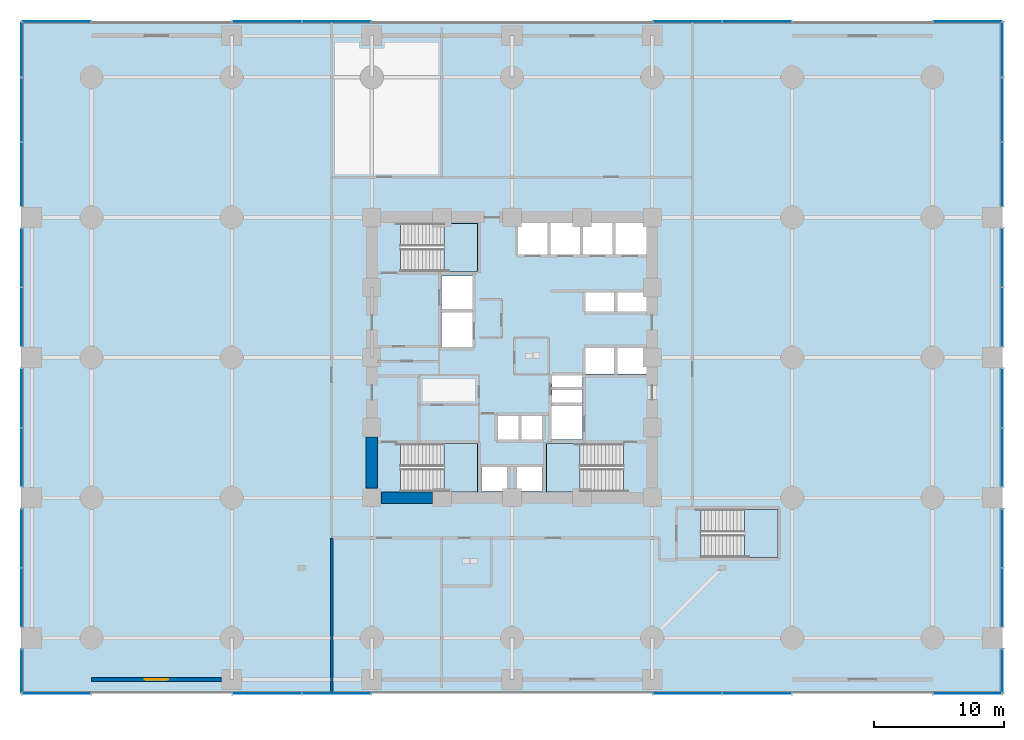
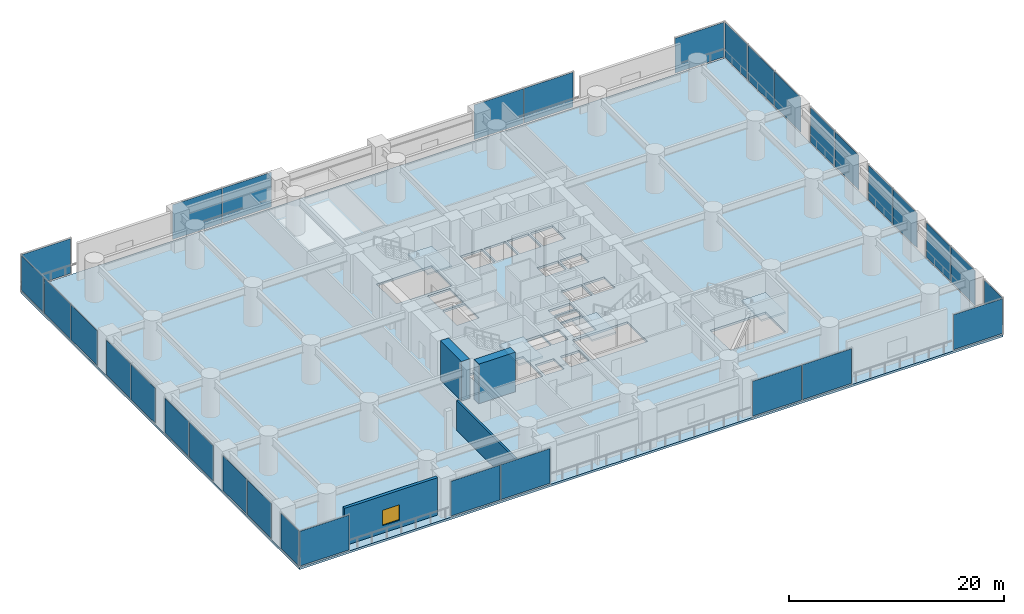
# One storey, part 26 of 36: 32 plates, 5 slabs, 4 walls, 1 window, 1 opening, 24 elements without a shape of their own.
"""IFC4 building model written with IfcOpenShell, lengths in metres."""

from ifc_helpers import new_model, si_unit, direction, frame, frame_2d, origin, place, context, subcontext, project, spatial, polyline, rectangle, outline, extrude, material, layer, layer_set, type_object, element, fill, aggregate, save


model = new_model("IFC4")

# Units and contexts
model_context = context("Model", 3, precision=1e-05, world=origin(), true_north=direction((0.0, 1.0)))
body_context = subcontext(model_context, "Body", "Model", "MODEL_VIEW")
ifc_project = project(units=[si_unit("LENGTHUNIT", "METRE"), si_unit("AREAUNIT", "SQUARE_METRE"), si_unit("VOLUMEUNIT", "CUBIC_METRE"), si_unit("PLANEANGLEUNIT", "RADIAN"), si_unit("MASSUNIT", "GRAM", prefix="KILO")], contexts=[model_context])

# Site, building, storey
site_placement = place(None, origin())
site = spatial("IfcSite", under=ifc_project, at=site_placement, CompositionType="ELEMENT")
building_placement = place(site_placement, origin())
building = spatial("IfcBuilding", under=site, at=building_placement, Name="Surkhivell Harbour Commons", CompositionType="ELEMENT")
storey_placement = place(building_placement, frame((0.0, 0.0, 9.0)))
storey = spatial("IfcBuildingStorey", under=building, at=storey_placement, Name="L02", CompositionType="ELEMENT", Elevation=9.0)

# Curtain wall, plate
ifc_material_1 = material(Name="Anodised pale-metal aluminium and insulated glazing", Category="aluminium")
ifc_layer_1 = layer(ifc_material_1, 0.239990234375)
ifc_layer_set_1 = layer_set([ifc_layer_1], Name="Anodised pale-metal aluminium and insulated glazing")
curtain_wall_type = type_object("IfcCurtainWallType", Name="CW-SYS-POD", PredefinedType="NOTDEFINED", material=ifc_layer_set_1)
curtain_wall_1_placement = place(storey_placement, origin())
curtain_wall_1 = element("IfcCurtainWall", 1, at=curtain_wall_1_placement, inside=storey, type_object=curtain_wall_type, Name="L02 Curtain Wall CW-L02-N1", PredefinedType="NOTDEFINED")
ifc_material_2 = material(Name="Double-silver low-E laminated vision glass", Category="glass")
ifc_layer_2 = layer(ifc_material_2, 0.031982421875)
ifc_layer_set_2 = layer_set([ifc_layer_2], Name="Double-silver low-E laminated vision glass")
plate_type = type_object("IfcPlateType", Name="CWP-GLZ-32", PredefinedType="CURTAIN_PANEL", material=ifc_layer_set_2)
plate_1_placement = place(storey_placement, frame((-37.72509765625, 25.89990234375, 0.14990234375), z_axis=(0.0, 0.0, 1.0), x_axis=(1.0, 0.0, 0.0)))
plate_1 = element("IfcPlate", 2, at=plate_1_placement, type_object=plate_type, Name="CW-POD panel 1.1", PredefinedType="CURTAIN_PANEL", context=body_context, shape_type="SweptSolid", body=[
    extrude(rectangle(XDim=5.25, YDim=0.031982421875, at=frame_2d((2.625, 0.0))), origin(), (0.0, 0.0, 1.0), 3.9501953125),
])
aggregate(curtain_wall_1, [plate_1])

curtain_wall_2_placement = place(storey_placement, origin())
curtain_wall_2 = element("IfcCurtainWall", 3, at=curtain_wall_2_placement, inside=storey, type_object=curtain_wall_type, Name="L02 Curtain Wall CW-L02-S1", PredefinedType="NOTDEFINED")
plate_2_placement = place(storey_placement, frame((-32.47509765625, -25.89990234375, 0.14990234375), z_axis=(0.0, 0.0, 1.0), x_axis=(-1.0, 0.0, 0.0)))
plate_2 = element("IfcPlate", 4, at=plate_2_placement, type_object=plate_type, Name="CW-POD panel 1.1", PredefinedType="CURTAIN_PANEL", context=body_context, shape_type="SweptSolid", body=[
    extrude(rectangle(XDim=5.25, YDim=0.031982421875, at=frame_2d((2.625, 0.0))), origin(), (0.0, 0.0, 1.0), 3.9501953125),
])
aggregate(curtain_wall_2, [plate_2])

# Curtain wall, plates
curtain_wall_3_placement = place(storey_placement, origin())
curtain_wall_3 = element("IfcCurtainWall", 5, at=curtain_wall_3_placement, inside=storey, type_object=curtain_wall_type, Name="L02 Curtain Wall CW-L02-N3", PredefinedType="NOTDEFINED")
plate_3_placement = place(storey_placement, frame((-21.52490234375, 25.89990234375, 0.14990234375), z_axis=(0.0, 0.0, 1.0), x_axis=(1.0, 0.0, 0.0)))
plate_3 = element("IfcPlate", 6, at=plate_3_placement, type_object=plate_type, Name="CW-POD panel 1.1", PredefinedType="CURTAIN_PANEL", context=body_context, shape_type="SweptSolid", body=[
    extrude(rectangle(XDim=5.287353515625, YDim=0.031982421875, at=frame_2d((2.6435546875, 0.0))), origin(), (0.0, 0.0, 1.0), 3.9501953125),
])
plate_4_placement = place(storey_placement, frame((-16.16259765625, 25.89990234375, 0.14990234375), z_axis=(0.0, 0.0, 1.0), x_axis=(1.0, 0.0, 0.0)))
plate_4 = element("IfcPlate", 7, at=plate_4_placement, type_object=plate_type, Name="CW-POD panel 2.1", PredefinedType="CURTAIN_PANEL", context=body_context, shape_type="SweptSolid", body=[
    extrude(rectangle(XDim=5.28759765625, YDim=0.031982421875, at=frame_2d((2.643798828125, 0.0))), origin(), (0.0, 0.0, 1.0), 3.9501953125),
])
aggregate(curtain_wall_3, [plate_3, plate_4])

curtain_wall_4_placement = place(storey_placement, origin())
curtain_wall_4 = element("IfcCurtainWall", 8, at=curtain_wall_4_placement, inside=storey, type_object=curtain_wall_type, Name="L02 Curtain Wall CW-L02-S3", PredefinedType="NOTDEFINED")
plate_5_placement = place(storey_placement, frame((-10.875, -25.89990234375, 0.14990234375), z_axis=(0.0, 0.0, 1.0), x_axis=(-1.0, 0.0, 0.0)))
plate_5 = element("IfcPlate", 9, at=plate_5_placement, type_object=plate_type, Name="CW-POD panel 1.1", PredefinedType="CURTAIN_PANEL", context=body_context, shape_type="SweptSolid", body=[
    extrude(rectangle(XDim=5.28759765625, YDim=0.031982421875, at=frame_2d((2.643798828125, 0.0))), origin(), (0.0, 0.0, 1.0), 3.9501953125),
])
plate_6_placement = place(storey_placement, frame((-16.237548828125, -25.89990234375, 0.14990234375), z_axis=(0.0, 0.0, 1.0), x_axis=(-1.0, 0.0, 0.0)))
plate_6 = element("IfcPlate", 10, at=plate_6_placement, type_object=plate_type, Name="CW-POD panel 2.1", PredefinedType="CURTAIN_PANEL", context=body_context, shape_type="SweptSolid", body=[
    extrude(rectangle(XDim=5.287353515625, YDim=0.031982421875, at=frame_2d((2.6435546875, 0.0))), origin(), (0.0, 0.0, 1.0), 3.9501953125),
])
aggregate(curtain_wall_4, [plate_5, plate_6])

curtain_wall_5_placement = place(storey_placement, origin())
curtain_wall_5 = element("IfcCurtainWall", 11, at=curtain_wall_5_placement, inside=storey, type_object=curtain_wall_type, Name="L02 Curtain Wall CW-L02-N6", PredefinedType="NOTDEFINED")
plate_7_placement = place(storey_placement, frame((10.875, 25.89990234375, 0.14990234375), z_axis=(0.0, 0.0, 1.0), x_axis=(1.0, 0.0, 0.0)))
plate_7 = element("IfcPlate", 12, at=plate_7_placement, type_object=plate_type, Name="CW-POD panel 1.1", PredefinedType="CURTAIN_PANEL", context=body_context, shape_type="SweptSolid", body=[
    extrude(rectangle(XDim=5.28759765625, YDim=0.031982421875, at=frame_2d((2.643798828125, 0.0))), origin(), (0.0, 0.0, 1.0), 3.9501953125),
])
plate_8_placement = place(storey_placement, frame((16.237548828125, 25.89990234375, 0.14990234375), z_axis=(0.0, 0.0, 1.0), x_axis=(1.0, 0.0, 0.0)))
plate_8 = element("IfcPlate", 13, at=plate_8_placement, type_object=plate_type, Name="CW-POD panel 2.1", PredefinedType="CURTAIN_PANEL", context=body_context, shape_type="SweptSolid", body=[
    extrude(rectangle(XDim=5.287353515625, YDim=0.031982421875, at=frame_2d((2.6435546875, 0.0))), origin(), (0.0, 0.0, 1.0), 3.9501953125),
])
aggregate(curtain_wall_5, [plate_7, plate_8])

curtain_wall_6_placement = place(storey_placement, origin())
curtain_wall_6 = element("IfcCurtainWall", 14, at=curtain_wall_6_placement, inside=storey, type_object=curtain_wall_type, Name="L02 Curtain Wall CW-L02-S6", PredefinedType="NOTDEFINED")
plate_9_placement = place(storey_placement, frame((21.52490234375, -25.89990234375, 0.14990234375), z_axis=(0.0, 0.0, 1.0), x_axis=(-1.0, 0.0, 0.0)))
plate_9 = element("IfcPlate", 15, at=plate_9_placement, type_object=plate_type, Name="CW-POD panel 1.1", PredefinedType="CURTAIN_PANEL", context=body_context, shape_type="SweptSolid", body=[
    extrude(rectangle(XDim=5.287353515625, YDim=0.031982421875, at=frame_2d((2.6435546875, 0.0))), origin(), (0.0, 0.0, 1.0), 3.9501953125),
])
plate_10_placement = place(storey_placement, frame((16.16259765625, -25.89990234375, 0.14990234375), z_axis=(0.0, 0.0, 1.0), x_axis=(-1.0, 0.0, 0.0)))
plate_10 = element("IfcPlate", 16, at=plate_10_placement, type_object=plate_type, Name="CW-POD panel 2.1", PredefinedType="CURTAIN_PANEL", context=body_context, shape_type="SweptSolid", body=[
    extrude(rectangle(XDim=5.28759765625, YDim=0.031982421875, at=frame_2d((2.643798828125, 0.0))), origin(), (0.0, 0.0, 1.0), 3.9501953125),
])
aggregate(curtain_wall_6, [plate_9, plate_10])

# Curtain wall, plate
curtain_wall_7_placement = place(storey_placement, origin())
curtain_wall_7 = element("IfcCurtainWall", 17, at=curtain_wall_7_placement, inside=storey, type_object=curtain_wall_type, Name="L02 Curtain Wall CW-L02-N8", PredefinedType="NOTDEFINED")
plate_11_placement = place(storey_placement, frame((32.47509765625, 25.89990234375, 0.14990234375), z_axis=(0.0, 0.0, 1.0), x_axis=(1.0, 0.0, 0.0)))
plate_11 = element("IfcPlate", 18, at=plate_11_placement, type_object=plate_type, Name="CW-POD panel 1.1", PredefinedType="CURTAIN_PANEL", context=body_context, shape_type="SweptSolid", body=[
    extrude(rectangle(XDim=5.25, YDim=0.031982421875, at=frame_2d((2.625, 0.0))), origin(), (0.0, 0.0, 1.0), 3.9501953125),
])
aggregate(curtain_wall_7, [plate_11])

curtain_wall_8_placement = place(storey_placement, origin())
curtain_wall_8 = element("IfcCurtainWall", 19, at=curtain_wall_8_placement, inside=storey, type_object=curtain_wall_type, Name="L02 Curtain Wall CW-L02-S8", PredefinedType="NOTDEFINED")
plate_12_placement = place(storey_placement, frame((37.72509765625, -25.89990234375, 0.14990234375), z_axis=(0.0, 0.0, 1.0), x_axis=(-1.0, 0.0, 0.0)))
plate_12 = element("IfcPlate", 20, at=plate_12_placement, type_object=plate_type, Name="CW-POD panel 1.1", PredefinedType="CURTAIN_PANEL", context=body_context, shape_type="SweptSolid", body=[
    extrude(rectangle(XDim=5.25, YDim=0.031982421875, at=frame_2d((2.625, 0.0))), origin(), (0.0, 0.0, 1.0), 3.9501953125),
])
aggregate(curtain_wall_8, [plate_12])

curtain_wall_9_placement = place(storey_placement, origin())
curtain_wall_9 = element("IfcCurtainWall", 21, at=curtain_wall_9_placement, inside=storey, type_object=curtain_wall_type, Name="L02 Curtain Wall CW-L02-W1", PredefinedType="NOTDEFINED")
plate_13_placement = place(storey_placement, frame((-37.800048828125, -25.824951171875, 0.14990234375), z_axis=(0.0, 0.0, 1.0), x_axis=(0.0, 1.0, 0.0)))
plate_13 = element("IfcPlate", 22, at=plate_13_placement, type_object=plate_type, Name="CW-POD panel 1.1", PredefinedType="CURTAIN_PANEL", context=body_context, shape_type="SweptSolid", body=[
    extrude(rectangle(XDim=3.347900390625, YDim=0.031982421875, at=frame_2d((1.673828125, 0.0))), origin(), (0.0, 0.0, 1.0), 3.9501953125),
])
aggregate(curtain_wall_9, [plate_13])

curtain_wall_10_placement = place(storey_placement, origin())
curtain_wall_10 = element("IfcCurtainWall", 23, at=curtain_wall_10_placement, inside=storey, type_object=curtain_wall_type, Name="L02 Curtain Wall CW-L02-E1", PredefinedType="NOTDEFINED")
plate_14_placement = place(storey_placement, frame((37.800048828125, -22.47705078125, 0.14990234375), z_axis=(0.0, 0.0, 1.0), x_axis=(0.0, -1.0, 0.0)))
plate_14 = element("IfcPlate", 24, at=plate_14_placement, type_object=plate_type, Name="CW-POD panel 1.1", PredefinedType="CURTAIN_PANEL", context=body_context, shape_type="SweptSolid", body=[
    extrude(rectangle(XDim=3.347900390625, YDim=0.031982421875, at=frame_2d((1.673828125, 0.0))), origin(), (0.0, 0.0, 1.0), 3.9501953125),
])
aggregate(curtain_wall_10, [plate_14])

# Curtain wall, plates
curtain_wall_11_placement = place(storey_placement, origin())
curtain_wall_11 = element("IfcCurtainWall", 25, at=curtain_wall_11_placement, inside=storey, type_object=curtain_wall_type, Name="L02 Curtain Wall CW-L02-W2", PredefinedType="NOTDEFINED")
plate_15_placement = place(storey_placement, frame((-37.800048828125, -20.722900390625, 0.14990234375), z_axis=(0.0, 0.0, 1.0), x_axis=(0.0, 1.0, 0.0)))
plate_15 = element("IfcPlate", 26, at=plate_15_placement, type_object=plate_type, Name="CW-POD panel 1.1", PredefinedType="CURTAIN_PANEL", context=body_context, shape_type="SweptSolid", body=[
    extrude(rectangle(XDim=4.4853515625, YDim=0.031982421875, at=frame_2d((2.24267578125, 0.0))), origin(), (0.0, 0.0, 1.0), 3.9501953125),
])
plate_16_placement = place(storey_placement, frame((-37.800048828125, -16.16259765625, 0.14990234375), z_axis=(0.0, 0.0, 1.0), x_axis=(0.0, 1.0, 0.0)))
plate_16 = element("IfcPlate", 27, at=plate_16_placement, type_object=plate_type, Name="CW-POD panel 2.1", PredefinedType="CURTAIN_PANEL", context=body_context, shape_type="SweptSolid", body=[
    extrude(rectangle(XDim=4.485595703125, YDim=0.031982421875, at=frame_2d((2.24267578125, 0.0))), origin(), (0.0, 0.0, 1.0), 3.9501953125),
])
aggregate(curtain_wall_11, [plate_15, plate_16])

curtain_wall_12_placement = place(storey_placement, origin())
curtain_wall_12 = element("IfcCurtainWall", 28, at=curtain_wall_12_placement, inside=storey, type_object=curtain_wall_type, Name="L02 Curtain Wall CW-L02-E2", PredefinedType="NOTDEFINED")
plate_17_placement = place(storey_placement, frame((37.800048828125, -11.677001953125, 0.14990234375), z_axis=(0.0, 0.0, 1.0), x_axis=(0.0, -1.0, 0.0)))
plate_17 = element("IfcPlate", 29, at=plate_17_placement, type_object=plate_type, Name="CW-POD panel 1.1", PredefinedType="CURTAIN_PANEL", context=body_context, shape_type="SweptSolid", body=[
    extrude(rectangle(XDim=4.485595703125, YDim=0.031982421875, at=frame_2d((2.24267578125, 0.0))), origin(), (0.0, 0.0, 1.0), 3.9501953125),
])
plate_18_placement = place(storey_placement, frame((37.800048828125, -16.237548828125, 0.14990234375), z_axis=(0.0, 0.0, 1.0), x_axis=(0.0, -1.0, 0.0)))
plate_18 = element("IfcPlate", 30, at=plate_18_placement, type_object=plate_type, Name="CW-POD panel 2.1", PredefinedType="CURTAIN_PANEL", context=body_context, shape_type="SweptSolid", body=[
    extrude(rectangle(XDim=4.4853515625, YDim=0.031982421875, at=frame_2d((2.24267578125, 0.0))), origin(), (0.0, 0.0, 1.0), 3.9501953125),
])
aggregate(curtain_wall_12, [plate_17, plate_18])

curtain_wall_13_placement = place(storey_placement, origin())
curtain_wall_13 = element("IfcCurtainWall", 31, at=curtain_wall_13_placement, inside=storey, type_object=curtain_wall_type, Name="L02 Curtain Wall CW-L02-W3", PredefinedType="NOTDEFINED")
plate_19_placement = place(storey_placement, frame((-37.800048828125, -9.923095703125, 0.14990234375), z_axis=(0.0, 0.0, 1.0), x_axis=(0.0, 1.0, 0.0)))
plate_19 = element("IfcPlate", 32, at=plate_19_placement, type_object=plate_type, Name="CW-POD panel 1.1", PredefinedType="CURTAIN_PANEL", context=body_context, shape_type="SweptSolid", body=[
    extrude(rectangle(XDim=4.485595703125, YDim=0.031982421875, at=frame_2d((2.24267578125, 0.0))), origin(), (0.0, 0.0, 1.0), 3.9501953125),
])
plate_20_placement = place(storey_placement, frame((-37.800048828125, -5.362548828125, 0.14990234375), z_axis=(0.0, 0.0, 1.0), x_axis=(0.0, 1.0, 0.0)))
plate_20 = element("IfcPlate", 33, at=plate_20_placement, type_object=plate_type, Name="CW-POD panel 2.1", PredefinedType="CURTAIN_PANEL", context=body_context, shape_type="SweptSolid", body=[
    extrude(rectangle(XDim=4.485595703125, YDim=0.031982421875, at=frame_2d((2.24267578125, 0.0))), origin(), (0.0, 0.0, 1.0), 3.9501953125),
])
aggregate(curtain_wall_13, [plate_19, plate_20])

curtain_wall_14_placement = place(storey_placement, origin())
curtain_wall_14 = element("IfcCurtainWall", 34, at=curtain_wall_14_placement, inside=storey, type_object=curtain_wall_type, Name="L02 Curtain Wall CW-L02-E3", PredefinedType="NOTDEFINED")
plate_21_placement = place(storey_placement, frame((37.800048828125, -0.876953125, 0.14990234375), z_axis=(0.0, 0.0, 1.0), x_axis=(0.0, -1.0, 0.0)))
plate_21 = element("IfcPlate", 35, at=plate_21_placement, type_object=plate_type, Name="CW-POD panel 1.1", PredefinedType="CURTAIN_PANEL", context=body_context, shape_type="SweptSolid", body=[
    extrude(rectangle(XDim=4.485595703125, YDim=0.031982421875, at=frame_2d((2.24267578125, 0.0))), origin(), (0.0, 0.0, 1.0), 3.9501953125),
])
plate_22_placement = place(storey_placement, frame((37.800048828125, -5.4375, 0.14990234375), z_axis=(0.0, 0.0, 1.0), x_axis=(0.0, -1.0, 0.0)))
plate_22 = element("IfcPlate", 36, at=plate_22_placement, type_object=plate_type, Name="CW-POD panel 2.1", PredefinedType="CURTAIN_PANEL", context=body_context, shape_type="SweptSolid", body=[
    extrude(rectangle(XDim=4.485595703125, YDim=0.031982421875, at=frame_2d((2.24267578125, 0.0))), origin(), (0.0, 0.0, 1.0), 3.9501953125),
])
aggregate(curtain_wall_14, [plate_21, plate_22])

curtain_wall_15_placement = place(storey_placement, origin())
curtain_wall_15 = element("IfcCurtainWall", 37, at=curtain_wall_15_placement, inside=storey, type_object=curtain_wall_type, Name="L02 Curtain Wall CW-L02-W4", PredefinedType="NOTDEFINED")
plate_23_placement = place(storey_placement, frame((-37.800048828125, 0.876953125, 0.14990234375), z_axis=(0.0, 0.0, 1.0), x_axis=(0.0, 1.0, 0.0)))
plate_23 = element("IfcPlate", 38, at=plate_23_placement, type_object=plate_type, Name="CW-POD panel 1.1", PredefinedType="CURTAIN_PANEL", context=body_context, shape_type="SweptSolid", body=[
    extrude(rectangle(XDim=4.485595703125, YDim=0.031982421875, at=frame_2d((2.24267578125, 0.0))), origin(), (0.0, 0.0, 1.0), 3.9501953125),
])
plate_24_placement = place(storey_placement, frame((-37.800048828125, 5.4375, 0.14990234375), z_axis=(0.0, 0.0, 1.0), x_axis=(0.0, 1.0, 0.0)))
plate_24 = element("IfcPlate", 39, at=plate_24_placement, type_object=plate_type, Name="CW-POD panel 2.1", PredefinedType="CURTAIN_PANEL", context=body_context, shape_type="SweptSolid", body=[
    extrude(rectangle(XDim=4.485595703125, YDim=0.031982421875, at=frame_2d((2.24267578125, 0.0))), origin(), (0.0, 0.0, 1.0), 3.9501953125),
])
aggregate(curtain_wall_15, [plate_23, plate_24])

curtain_wall_16_placement = place(storey_placement, origin())
curtain_wall_16 = element("IfcCurtainWall", 40, at=curtain_wall_16_placement, inside=storey, type_object=curtain_wall_type, Name="L02 Curtain Wall CW-L02-E4", PredefinedType="NOTDEFINED")
plate_25_placement = place(storey_placement, frame((37.800048828125, 9.923095703125, 0.14990234375), z_axis=(0.0, 0.0, 1.0), x_axis=(0.0, -1.0, 0.0)))
plate_25 = element("IfcPlate", 41, at=plate_25_placement, type_object=plate_type, Name="CW-POD panel 1.1", PredefinedType="CURTAIN_PANEL", context=body_context, shape_type="SweptSolid", body=[
    extrude(rectangle(XDim=4.485595703125, YDim=0.031982421875, at=frame_2d((2.24267578125, 0.0))), origin(), (0.0, 0.0, 1.0), 3.9501953125),
])
plate_26_placement = place(storey_placement, frame((37.800048828125, 5.362548828125, 0.14990234375), z_axis=(0.0, 0.0, 1.0), x_axis=(0.0, -1.0, 0.0)))
plate_26 = element("IfcPlate", 42, at=plate_26_placement, type_object=plate_type, Name="CW-POD panel 2.1", PredefinedType="CURTAIN_PANEL", context=body_context, shape_type="SweptSolid", body=[
    extrude(rectangle(XDim=4.485595703125, YDim=0.031982421875, at=frame_2d((2.24267578125, 0.0))), origin(), (0.0, 0.0, 1.0), 3.9501953125),
])
aggregate(curtain_wall_16, [plate_25, plate_26])

curtain_wall_17_placement = place(storey_placement, origin())
curtain_wall_17 = element("IfcCurtainWall", 43, at=curtain_wall_17_placement, inside=storey, type_object=curtain_wall_type, Name="L02 Curtain Wall CW-L02-W5", PredefinedType="NOTDEFINED")
plate_27_placement = place(storey_placement, frame((-37.800048828125, 11.677001953125, 0.14990234375), z_axis=(0.0, 0.0, 1.0), x_axis=(0.0, 1.0, 0.0)))
plate_27 = element("IfcPlate", 44, at=plate_27_placement, type_object=plate_type, Name="CW-POD panel 1.1", PredefinedType="CURTAIN_PANEL", context=body_context, shape_type="SweptSolid", body=[
    extrude(rectangle(XDim=4.886474609375, YDim=0.031982421875, at=frame_2d((2.443359375, 0.0))), origin(), (0.0, 0.0, 1.0), 3.9501953125),
])
plate_28_placement = place(storey_placement, frame((-37.800048828125, 16.638427734375, 0.14990234375), z_axis=(0.0, 0.0, 1.0), x_axis=(0.0, 1.0, 0.0)))
plate_28 = element("IfcPlate", 45, at=plate_28_placement, type_object=plate_type, Name="CW-POD panel 2.1", PredefinedType="CURTAIN_PANEL", context=body_context, shape_type="SweptSolid", body=[
    extrude(rectangle(XDim=4.886474609375, YDim=0.031982421875, at=frame_2d((2.443359375, 0.0))), origin(), (0.0, 0.0, 1.0), 3.9501953125),
])
aggregate(curtain_wall_17, [plate_27, plate_28])

curtain_wall_18_placement = place(storey_placement, origin())
curtain_wall_18 = element("IfcCurtainWall", 46, at=curtain_wall_18_placement, inside=storey, type_object=curtain_wall_type, Name="L02 Curtain Wall CW-L02-E5", PredefinedType="NOTDEFINED")
plate_29_placement = place(storey_placement, frame((37.800048828125, 21.52490234375, 0.14990234375), z_axis=(0.0, 0.0, 1.0), x_axis=(0.0, -1.0, 0.0)))
plate_29 = element("IfcPlate", 47, at=plate_29_placement, type_object=plate_type, Name="CW-POD panel 1.1", PredefinedType="CURTAIN_PANEL", context=body_context, shape_type="SweptSolid", body=[
    extrude(rectangle(XDim=4.886474609375, YDim=0.031982421875, at=frame_2d((2.443359375, 0.0))), origin(), (0.0, 0.0, 1.0), 3.9501953125),
])
plate_30_placement = place(storey_placement, frame((37.800048828125, 16.5634765625, 0.14990234375), z_axis=(0.0, 0.0, 1.0), x_axis=(0.0, -1.0, 0.0)))
plate_30 = element("IfcPlate", 48, at=plate_30_placement, type_object=plate_type, Name="CW-POD panel 2.1", PredefinedType="CURTAIN_PANEL", context=body_context, shape_type="SweptSolid", body=[
    extrude(rectangle(XDim=4.886474609375, YDim=0.031982421875, at=frame_2d((2.443359375, 0.0))), origin(), (0.0, 0.0, 1.0), 3.9501953125),
])
aggregate(curtain_wall_18, [plate_29, plate_30])

# Curtain wall, plate
curtain_wall_19_placement = place(storey_placement, origin())
curtain_wall_19 = element("IfcCurtainWall", 49, at=curtain_wall_19_placement, inside=storey, type_object=curtain_wall_type, Name="L02 Curtain Wall CW-L02-W6", PredefinedType="NOTDEFINED")
plate_31_placement = place(storey_placement, frame((-37.800048828125, 21.675048828125, 0.14990234375), z_axis=(0.0, 0.0, 1.0), x_axis=(0.0, 1.0, 0.0)))
plate_31 = element("IfcPlate", 50, at=plate_31_placement, type_object=plate_type, Name="CW-POD panel 1.1", PredefinedType="CURTAIN_PANEL", context=body_context, shape_type="SweptSolid", body=[
    extrude(rectangle(XDim=4.14990234375, YDim=0.031982421875, at=frame_2d((2.074951171875, 0.0))), origin(), (0.0, 0.0, 1.0), 3.9501953125),
])
aggregate(curtain_wall_19, [plate_31])

curtain_wall_20_placement = place(storey_placement, origin())
curtain_wall_20 = element("IfcCurtainWall", 51, at=curtain_wall_20_placement, inside=storey, type_object=curtain_wall_type, Name="L02 Curtain Wall CW-L02-E6", PredefinedType="NOTDEFINED")
plate_32_placement = place(storey_placement, frame((37.800048828125, 25.824951171875, 0.14990234375), z_axis=(0.0, 0.0, 1.0), x_axis=(0.0, -1.0, 0.0)))
plate_32 = element("IfcPlate", 52, at=plate_32_placement, type_object=plate_type, Name="CW-POD panel 1.1", PredefinedType="CURTAIN_PANEL", context=body_context, shape_type="SweptSolid", body=[
    extrude(rectangle(XDim=4.14990234375, YDim=0.031982421875, at=frame_2d((2.074951171875, 0.0))), origin(), (0.0, 0.0, 1.0), 3.9501953125),
])
aggregate(curtain_wall_20, [plate_32])

# Slab
ifc_material_3 = material(Name="Concrete C50/60", Category="concrete")
ifc_layer_3 = layer(ifc_material_3, 0.25)
ifc_layer_set_3 = layer_set([ifc_layer_3], Name="Concrete C50/60")
slab_type_1 = type_object("IfcSlabType", Name="SLB-POD-250", PredefinedType="FLOOR", material=ifc_layer_set_3)
slab_1_placement = place(storey_placement, frame((0.0, 0.0, -0.25)))
element("IfcSlab", 53, at=slab_1_placement, inside=storey, type_object=slab_type_1, Name="L02 Structural Floor Slab", PredefinedType="FLOOR", context=body_context, shape_type="SweptSolid", body=[
    extrude(outline(polyline([(-37.800048828125, -25.89990234375), (37.800048828125, -25.89990234375), (37.800048828125, 25.89990234375), (-37.800048828125, 25.89990234375), (-37.800048828125, -25.89990234375)]), holes=[polyline([(-8.590087890625, 6.639892578125), (-2.639892578125, 6.639892578125), (-2.639892578125, 10.340087890625), (-8.590087890625, 10.340087890625), (-8.590087890625, 6.639892578125)]), polyline([(8.590087890625, -6.639892578125), (2.639892578125, -6.639892578125), (2.639892578125, -10.340087890625), (8.590087890625, -10.340087890625), (8.590087890625, -6.639892578125)]), polyline([(-8.590087890625, -10.340087890625), (-2.639892578125, -10.340087890625), (-2.639892578125, -6.639892578125), (-8.590087890625, -6.639892578125), (-8.590087890625, -10.340087890625)]), polyline([(14.550048828125, -15.39990234375), (20.5, -15.39990234375), (20.5, -11.699951171875), (14.550048828125, -11.699951171875), (14.550048828125, -15.39990234375)]), polyline([(0.449951171875, 7.949951171875), (2.75, 7.949951171875), (2.75, 10.35009765625), (0.449951171875, 10.35009765625), (0.449951171875, 7.949951171875)]), polyline([(2.949951171875, 7.949951171875), (5.25, 7.949951171875), (5.25, 10.35009765625), (2.949951171875, 10.35009765625), (2.949951171875, 7.949951171875)]), polyline([(5.449951171875, 7.949951171875), (7.75, 7.949951171875), (7.75, 10.35009765625), (5.449951171875, 10.35009765625), (5.449951171875, 7.949951171875)]), polyline([(7.949951171875, 7.949951171875), (10.35009765625, 7.949951171875), (10.35009765625, 10.35009765625), (7.949951171875, 10.35009765625), (7.949951171875, 7.949951171875)]), polyline([(5.64990234375, 3.550048828125), (7.89990234375, 3.550048828125), (7.89990234375, 5.14990234375), (5.64990234375, 5.14990234375), (5.64990234375, 3.550048828125)]), polyline([(8.10009765625, 3.550048828125), (10.35009765625, 3.550048828125), (10.35009765625, 5.14990234375), (8.10009765625, 5.14990234375), (8.10009765625, 3.550048828125)]), polyline([(5.64990234375, -1.25), (7.89990234375, -1.25), (7.89990234375, 0.75), (5.64990234375, 0.75), (5.64990234375, -1.25)]), polyline([(8.10009765625, -1.25), (10.35009765625, -1.25), (10.35009765625, 0.75), (8.10009765625, 0.75), (8.10009765625, -1.25)]), polyline([(-1.14990234375, -6.35009765625), (0.550048828125, -6.35009765625), (0.550048828125, -4.449951171875), (-1.14990234375, -4.449951171875), (-1.14990234375, -6.35009765625)]), polyline([(0.679931640625, -6.35009765625), (2.3798828125, -6.35009765625), (2.3798828125, -4.449951171875), (0.679931640625, -4.449951171875), (0.679931640625, -6.35009765625)]), polyline([(-2.35009765625, -10.300048828125), (-0.35009765625, -10.300048828125), (-0.35009765625, -8.39990234375), (-2.35009765625, -8.39990234375), (-2.35009765625, -10.300048828125)]), polyline([(0.35009765625, -10.300048828125), (2.35009765625, -10.300048828125), (2.35009765625, -8.39990234375), (0.35009765625, -8.39990234375), (0.35009765625, -10.300048828125)]), polyline([(-5.449951171875, 3.699951171875), (-3.050048828125, 3.699951171875), (-3.050048828125, 6.300048828125), (-5.449951171875, 6.300048828125), (-5.449951171875, 3.699951171875)]), polyline([(3.050048828125, -6.300048828125), (5.449951171875, -6.300048828125), (5.449951171875, -3.699951171875), (3.050048828125, -3.699951171875), (3.050048828125, -6.300048828125)]), polyline([(-5.449951171875, 0.800048828125), (-3.050048828125, 0.800048828125), (-3.050048828125, 3.5), (-5.449951171875, 3.5), (-5.449951171875, 0.800048828125)]), polyline([(3.10009765625, -3.550048828125), (5.449951171875, -3.550048828125), (5.449951171875, -2.47998046875), (3.10009765625, -2.47998046875), (3.10009765625, -3.550048828125)]), polyline([(3.10009765625, -2.280029296875), (5.449951171875, -2.280029296875), (5.449951171875, -1.35009765625), (3.10009765625, -1.35009765625), (3.10009765625, -2.280029296875)])]), origin(), (0.0, 0.0, 1.0), 0.25),
])

# Stair, slab
ifc_material_4 = material(Name="Precast concrete C45/55", Category="concrete")
stair_type = type_object("IfcStairType", Name="STR-DL-450", PredefinedType="HALF_TURN_STAIR", material=ifc_material_4)
stair_1_placement = place(storey_placement, origin())
stair_1 = element("IfcStair", 54, at=stair_1_placement, inside=storey, type_object=stair_type, Name="L02 Core Exit Stair ST1", PredefinedType="HALF_TURN_STAIR")
ifc_material_5 = material(Name="Reinforced concrete C45/55", Category="concrete")
ifc_layer_4 = layer(ifc_material_5, 0.199951171875)
ifc_layer_set_4 = layer_set([ifc_layer_4], Name="Reinforced concrete C45/55")
slab_type_2 = type_object("IfcSlabType", Name="SLB-ST-LND200", PredefinedType="LANDING", material=ifc_layer_set_4)
slab_2_placement = place(storey_placement, frame((0.0, 0.0, 2.050048828125)))
slab_2 = element("IfcSlab", 55, at=slab_2_placement, type_object=slab_type_2, Name="ST1 landing 1", PredefinedType="LANDING", context=body_context, shape_type="SweptSolid", body=[
    extrude(outline(polyline([(-5.22998046875, 6.639892578125), (-2.639892578125, 6.639892578125), (-2.639892578125, 10.340087890625), (-5.22998046875, 10.340087890625), (-5.22998046875, 6.639892578125)])), origin(), (0.0, 0.0, 1.0), 0.199951171875),
])
aggregate(stair_1, [slab_2])

stair_2_placement = place(storey_placement, origin())
stair_2 = element("IfcStair", 56, at=stair_2_placement, inside=storey, type_object=stair_type, Name="L02 Core Exit Stair ST2", PredefinedType="HALF_TURN_STAIR")
slab_3_placement = place(storey_placement, frame((0.0, 0.0, 2.050048828125)))
slab_3 = element("IfcSlab", 57, at=slab_3_placement, type_object=slab_type_2, Name="ST2 landing 1", PredefinedType="LANDING", context=body_context, shape_type="SweptSolid", body=[
    extrude(outline(polyline([(5.22998046875, -6.639892578125), (2.639892578125, -6.639892578125), (2.639892578125, -10.340087890625), (5.22998046875, -10.340087890625), (5.22998046875, -6.639892578125)])), origin(), (0.0, 0.0, 1.0), 0.199951171875),
])
aggregate(stair_2, [slab_3])

stair_3_placement = place(storey_placement, origin())
stair_3 = element("IfcStair", 58, at=stair_3_placement, inside=storey, type_object=stair_type, Name="L02 Core Exit Stair ST3", PredefinedType="HALF_TURN_STAIR")
slab_4_placement = place(storey_placement, frame((0.0, 0.0, 2.050048828125)))
slab_4 = element("IfcSlab", 59, at=slab_4_placement, type_object=slab_type_2, Name="ST3 landing 1", PredefinedType="LANDING", context=body_context, shape_type="SweptSolid", body=[
    extrude(outline(polyline([(-5.22998046875, -10.340087890625), (-2.639892578125, -10.340087890625), (-2.639892578125, -6.639892578125), (-5.22998046875, -6.639892578125), (-5.22998046875, -10.340087890625)])), origin(), (0.0, 0.0, 1.0), 0.199951171875),
])
aggregate(stair_3, [slab_4])

stair_4_placement = place(storey_placement, origin())
stair_4 = element("IfcStair", 60, at=stair_4_placement, inside=storey, type_object=stair_type, Name="L02 Podium Exit Stair ST4", PredefinedType="HALF_TURN_STAIR")
slab_5_placement = place(storey_placement, frame((0.0, 0.0, 2.050048828125)))
slab_5 = element("IfcSlab", 61, at=slab_5_placement, type_object=slab_type_2, Name="ST4 landing 1", PredefinedType="LANDING", context=body_context, shape_type="SweptSolid", body=[
    extrude(outline(polyline([(17.909912109375, -15.39990234375), (20.5, -15.39990234375), (20.5, -11.699951171875), (17.909912109375, -11.699951171875), (17.909912109375, -15.39990234375)])), origin(), (0.0, 0.0, 1.0), 0.199951171875),
])
aggregate(stair_4, [slab_5])

# Walls
ifc_material_6 = material(Name="Concrete C80/95", Category="concrete")
ifc_layer_5 = layer(ifc_material_6, 0.89990234375)
ifc_layer_set_5 = layer_set([ifc_layer_5], Name="Concrete C80/95")
wall_type_1 = type_object("IfcWallType", Name="WAL-CORE-900", PredefinedType="SHEAR", material=ifc_layer_set_5)
for number, where, z_axis, x_axis, name in (
    (62, (-10.06494140625, -10.800048828125, 0.0), (0.0, 0.0, 1.0), (1.0, 0.0, 0.0), "L02 Core Shear Wall South 1"),
    (63, (-10.800048828125, -10.06494140625, 0.0), (0.0, 0.0, 1.0), (0.0, 1.0, 0.0), "L02 Core Shear Wall West 1"),
):
    element("IfcWall", number, at=place(storey_placement, frame(where, z_axis=z_axis, x_axis=x_axis)), inside=storey, type_object=wall_type_1, Name=name, PredefinedType="SHEAR", context=body_context, shape_type="SweptSolid", body=[
        extrude(rectangle(XDim=3.929931640625, YDim=0.89990234375, at=frame_2d((1.96484375, 0.0))), origin(), (0.0, 0.0, 1.0), 4.5),
    ])

# Wall, opening, window
ifc_material_7 = material(Name="Kiln-fired surkhi brick and precast concrete C45/55", Category="masonry")
ifc_layer_6 = layer(ifc_material_7, 0.320068359375)
ifc_layer_set_6 = layer_set([ifc_layer_6], Name="Kiln-fired surkhi brick and precast concrete C45/55")
wall_type_2 = type_object("IfcWallType", Name="WAL-EXT-BRK320", PredefinedType="STANDARD", material=ifc_layer_set_6)
wall_1_placement = place(storey_placement, frame((-22.39794921875, -24.800048828125, 0.0), z_axis=(0.0, 0.0, 1.0), x_axis=(-1.0, 0.0, 0.0)))
wall_1 = element("IfcWall", 64, at=wall_1_placement, inside=storey, type_object=wall_type_2, Name="L02 Podium Brick Facade Wall S2", PredefinedType="STANDARD", context=body_context, shape_type="SweptSolid", body=[
    extrude(rectangle(XDim=10.001953125, YDim=0.320068359375, at=frame_2d((5.0009765625, 0.0))), origin(), (0.0, 0.0, 1.0), 4.25),
])
opening_placement = place(wall_1_placement, frame((4.10107421875, 0.0, 0.85009765625)))
opening = element("IfcOpeningElement", 65, at=opening_placement, cuts=wall_1, Name="Opening WN-03", PredefinedType="OPENING", context=body_context, shape_type="SweptSolid", body=[
    extrude(rectangle(XDim=1.800048828125, YDim=1.75, at=frame_2d((0.89990234375, 0.875))), frame((0.0, 0.169921875, 0.0), z_axis=(0.0, -1.0, 0.0), x_axis=(1.0, 0.0, 0.0)), (0.0, 0.0, 1.0), 0.340087890625),
])
ifc_material_8 = material(Name="Thermal-break aluminium frame and double low-E glazing", Category="aluminium")
window_type = type_object("IfcWindowType", Name="WIN-POD-1800x1750", PartitioningType="DOUBLE_PANEL_VERTICAL", PredefinedType="WINDOW", material=ifc_material_8)
window_placement = place(opening_placement, origin())
window = element("IfcWindow", 66, at=window_placement, inside=storey, type_object=window_type, Name="L02 Podium Punched Window S2", OverallHeight=1.75, OverallWidth=1.800048828125, PartitioningType="SINGLE_PANEL", PredefinedType="WINDOW", context=body_context, shape_type="SweptSolid", body=[
    extrude(rectangle(XDim=1.800048828125, YDim=1.75, at=frame_2d((0.89990234375, 0.875))), frame((0.0, 0.030029296875, 0.0), z_axis=(0.0, -1.0, 0.0), x_axis=(1.0, 0.0, 0.0)), (0.0, 0.0, 1.0), 0.06005859375),
])
fill(opening, window)

# Wall
ifc_material_9 = material(Name="Autoclaved aerated concrete blockwork and fire plaster", Category="masonry")
ifc_layer_7 = layer(ifc_material_9, 0.199951171875)
ifc_layer_set_7 = layer_set([ifc_layer_7], Name="Autoclaved aerated concrete blockwork and fire plaster")
wall_type_3 = type_object("IfcWallType", Name="WAL-INT-200", PredefinedType="PARTITIONING", material=ifc_layer_set_7)
wall_2_placement = place(storey_placement, frame((-13.89990234375, -25.860107421875, 0.0), z_axis=(0.0, 0.0, 1.0), x_axis=(0.0, 1.0, 0.0)))
element("IfcWall", 67, at=wall_2_placement, inside=storey, type_object=wall_type_3, Name="L02 Corner SW Divider", PredefinedType="PARTITIONING", context=body_context, shape_type="SweptSolid", body=[
    extrude(rectangle(XDim=11.960205078125, YDim=0.199951171875, at=frame_2d((5.97998046875, 0.0))), origin(), (0.0, 0.0, 1.0), 3.37890625),
])

save(model, "model.ifc")
